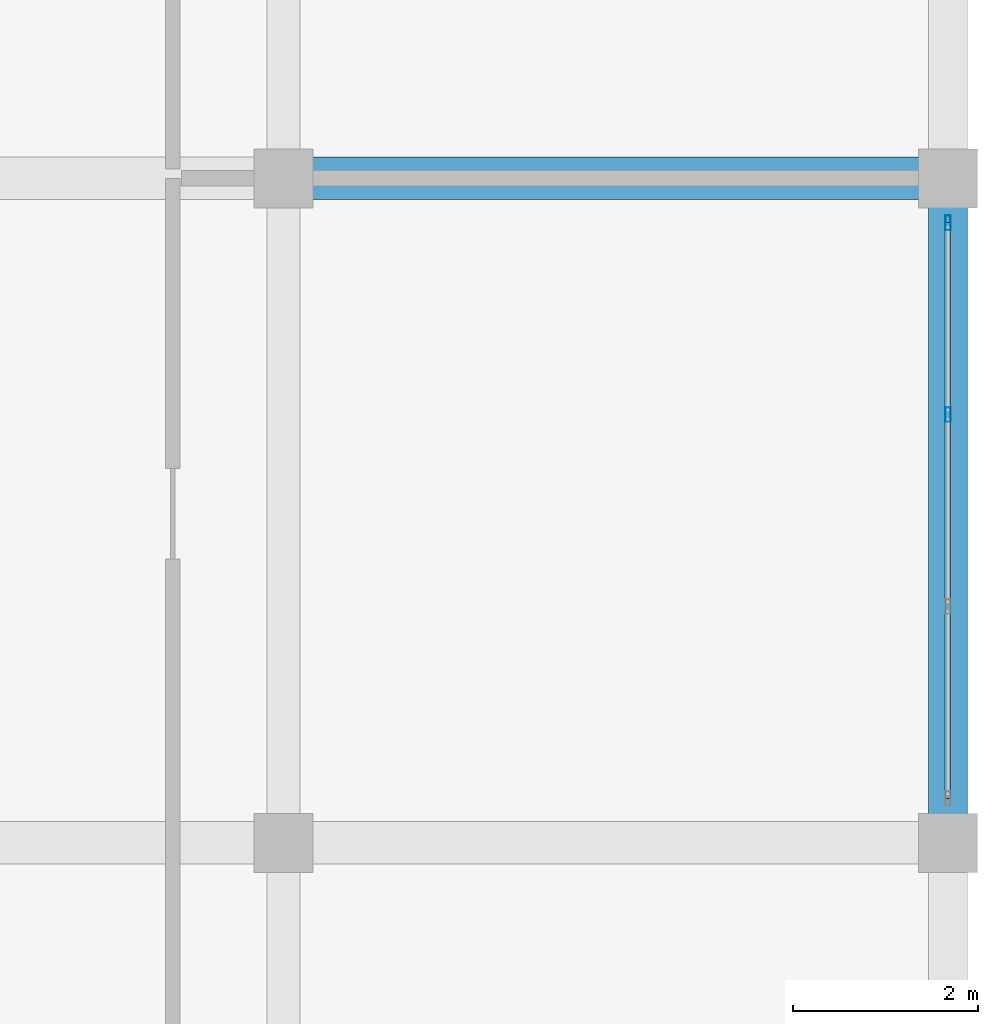
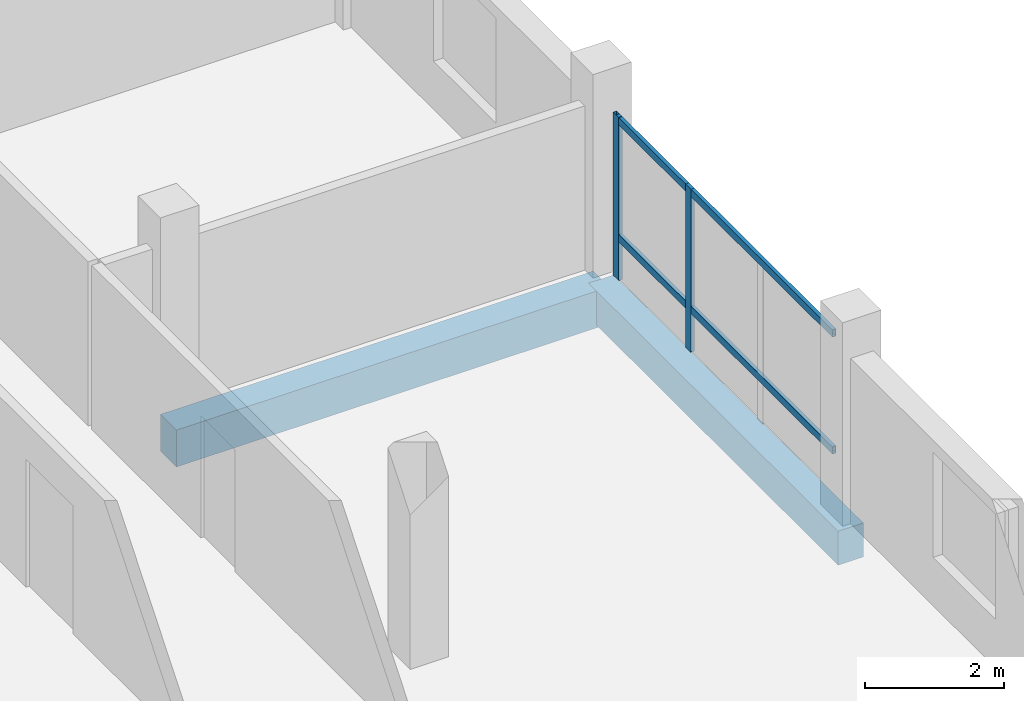
# One storey, part 91 of 128: 4 members, 2 beams, 1 element without a shape of its own.
"""IFC4 building model written with IfcOpenShell, lengths in metres."""

from ifc_helpers import new_model, si_unit, direction, frame, origin, origin_2d, place, context, subcontext, project, spatial, rectangle, hollow_rectangle, extrude, material, material_profile, profile_set, type_object, element, aggregate, save


model = new_model("IFC4")

# Units and contexts
model_context = context("Model", 3, precision=1e-05, world=origin(), true_north=direction((0.0, 1.0)))
body_context = subcontext(model_context, "Body", "Model", "MODEL_VIEW")
ifc_project = project(units=[si_unit("LENGTHUNIT", "METRE"), si_unit("AREAUNIT", "SQUARE_METRE"), si_unit("VOLUMEUNIT", "CUBIC_METRE"), si_unit("PLANEANGLEUNIT", "RADIAN"), si_unit("MASSUNIT", "GRAM", prefix="KILO")], contexts=[model_context])

# Site, building, storey
site_placement = place(None, origin())
site = spatial("IfcSite", under=ifc_project, at=site_placement, CompositionType="ELEMENT")
building_placement = place(site_placement, origin())
building = spatial("IfcBuilding", under=site, at=building_placement, Name="Zornivar Specialist Clinic", CompositionType="ELEMENT")
storey_placement = place(building_placement, frame((0.0, 0.0, 4.5)))
storey = spatial("IfcBuildingStorey", under=building, at=storey_placement, Name="L01", CompositionType="ELEMENT", Elevation=4.5)

# Beams
ifc_material_1 = material(Name="Concrete C30/37", Category="concrete")
ifc_material_profile_1 = material_profile(ifc_material_1, rectangle(XDim=0.4599609375, YDim=0.64990234375, at=origin_2d()), Name="RC 460x650")
ifc_profile_set_1 = profile_set([ifc_material_profile_1], Name="Concrete C30/37")
beam_type_1 = type_object("IfcBeamType", Name="BM-RC-460x650", PredefinedType="BEAM", material=ifc_profile_set_1)
beam_1_placement = place(storey_placement, frame((158.39990234375, 86.39990234375, -0.64501953125), z_axis=(1.0, 0.0, 0.0), x_axis=(0.0, 1.0, 0.0)))
element("IfcBeam", 1, at=beam_1_placement, inside=storey, type_object=beam_type_1, Name="bm:V6:L01:x:864:3", PredefinedType="BEAM", context=body_context, shape_type="SweptSolid", body=[
    extrude(rectangle(XDim=0.4599609375, YDim=0.64990234375, at=origin_2d()), origin(), (0.0, 0.0, 1.0), 7.2001953125),
])
ifc_material_2 = material(Name="Concrete C30/37", Category="concrete")
ifc_material_profile_2 = material_profile(ifc_material_2, rectangle(XDim=0.419921875, YDim=0.60009765625, at=origin_2d()), Name="RC 420x600")
ifc_profile_set_2 = profile_set([ifc_material_profile_2], Name="Concrete C30/37")
beam_type_2 = type_object("IfcBeamType", Name="BM-RC-SPANDREL-420x600", PredefinedType="SPANDREL", material=ifc_profile_set_2)
beam_2_placement = place(storey_placement, frame((165.60009765625, 79.199951171875, -0.6201171875), z_axis=(0.0, 1.0, 0.0), x_axis=(-1.0, 0.0, 0.0)))
element("IfcBeam", 2, at=beam_2_placement, inside=storey, type_object=beam_type_2, Name="bm:V6:L01:y:1656:2", PredefinedType="SPANDREL", context=body_context, shape_type="SweptSolid", body=[
    extrude(rectangle(XDim=0.419921875, YDim=0.60009765625, at=origin_2d()), origin(), (0.0, 0.0, 1.0), 7.199951171875),
])

# Curtain wall, members
ifc_material_3 = material(Name="Aluminium and Low-E Glass Curtain Wall", Category="aluminium")
curtain_wall_type = type_object("IfcCurtainWallType", Name="CW-LAB-NORTH", PredefinedType="NOTDEFINED", material=ifc_material_3)
curtain_wall_placement = place(storey_placement, origin())
curtain_wall = element("IfcCurtainWall", 3, at=curtain_wall_placement, inside=storey, type_object=curtain_wall_type, Name="cw:V6:L01:06", PredefinedType="NOTDEFINED")
ifc_material_4 = material(Name="Aluminium AW-6060", Category="aluminium")
ifc_material_profile_3 = material_profile(ifc_material_4, hollow_rectangle(XDim=0.06005859375, YDim=0.159912109375, WallThickness=0.00390625, at=origin_2d()), Name="ALU 60x160x4")
ifc_profile_set_3 = profile_set([ifc_material_profile_3], Name="Aluminium AW-6060")
member_type_1 = type_object("IfcMemberType", Name="CWM-MUL-160", PredefinedType="MULLION", material=ifc_profile_set_3)
member_1_placement = place(storey_placement, frame((165.60009765625, 83.840087890625, 0.0), z_axis=(0.0, 0.0, 1.0), x_axis=(1.0, 0.0, 0.0)))
member_1 = element("IfcMember", 4, at=member_1_placement, type_object=member_type_1, Name="cw:V6:L01:06:mul:2", PredefinedType="MULLION", context=body_context, shape_type="SweptSolid", body=[
    extrude(hollow_rectangle(XDim=0.06005859375, YDim=0.159912109375, WallThickness=0.00390625, at=origin_2d()), origin(), (0.0, 0.0, 1.0), 2.8701171875),
])
member_2_placement = place(storey_placement, frame((165.60009765625, 85.919921875, 0.0), z_axis=(0.0, 0.0, 1.0), x_axis=(1.0, 0.0, 0.0)))
member_2 = element("IfcMember", 5, at=member_2_placement, type_object=member_type_1, Name="cw:V6:L01:06:mul:3", PredefinedType="MULLION", context=body_context, shape_type="SweptSolid", body=[
    extrude(hollow_rectangle(XDim=0.06005859375, YDim=0.159912109375, WallThickness=0.00390625, at=origin_2d()), origin(), (0.0, 0.0, 1.0), 2.8701171875),
])
ifc_material_5 = material(Name="Aluminium AW-6060", Category="aluminium")
ifc_material_profile_4 = material_profile(ifc_material_5, hollow_rectangle(XDim=0.06005859375, YDim=0.1298828125, WallThickness=0.00390625, at=origin_2d()), Name="ALU 60x130x4")
ifc_profile_set_4 = profile_set([ifc_material_profile_4], Name="Aluminium AW-6060")
member_type_2 = type_object("IfcMemberType", Name="CWM-TRN-130", PredefinedType="USERDEFINED", material=ifc_profile_set_4)
member_3_placement = place(storey_placement, frame((165.60009765625, 79.679931640625, 0.74609375), z_axis=(0.0, 1.0, 0.0), x_axis=(-1.0, 0.0, 0.0)))
member_3 = element("IfcMember", 6, at=member_3_placement, type_object=member_type_2, Name="cw:V6:L01:06:trn:0", ObjectType="TRANSOM", PredefinedType="USERDEFINED", context=body_context, shape_type="SweptSolid", body=[
    extrude(hollow_rectangle(XDim=0.06005859375, YDim=0.1298828125, WallThickness=0.00390625, at=origin_2d()), origin(), (0.0, 0.0, 1.0), 6.239990234375),
])
member_4_placement = place(storey_placement, frame((165.60009765625, 79.679931640625, 2.804931640625), z_axis=(0.0, 1.0, 0.0), x_axis=(-1.0, 0.0, 0.0)))
member_4 = element("IfcMember", 7, at=member_4_placement, type_object=member_type_2, Name="cw:V6:L01:06:trn:1", ObjectType="TRANSOM", PredefinedType="USERDEFINED", context=body_context, shape_type="SweptSolid", body=[
    extrude(hollow_rectangle(XDim=0.06005859375, YDim=0.1298828125, WallThickness=0.00390625, at=origin_2d()), origin(), (0.0, 0.0, 1.0), 6.239990234375),
])
aggregate(curtain_wall, [member_1, member_2, member_3, member_4])

save(model, "model.ifc")
